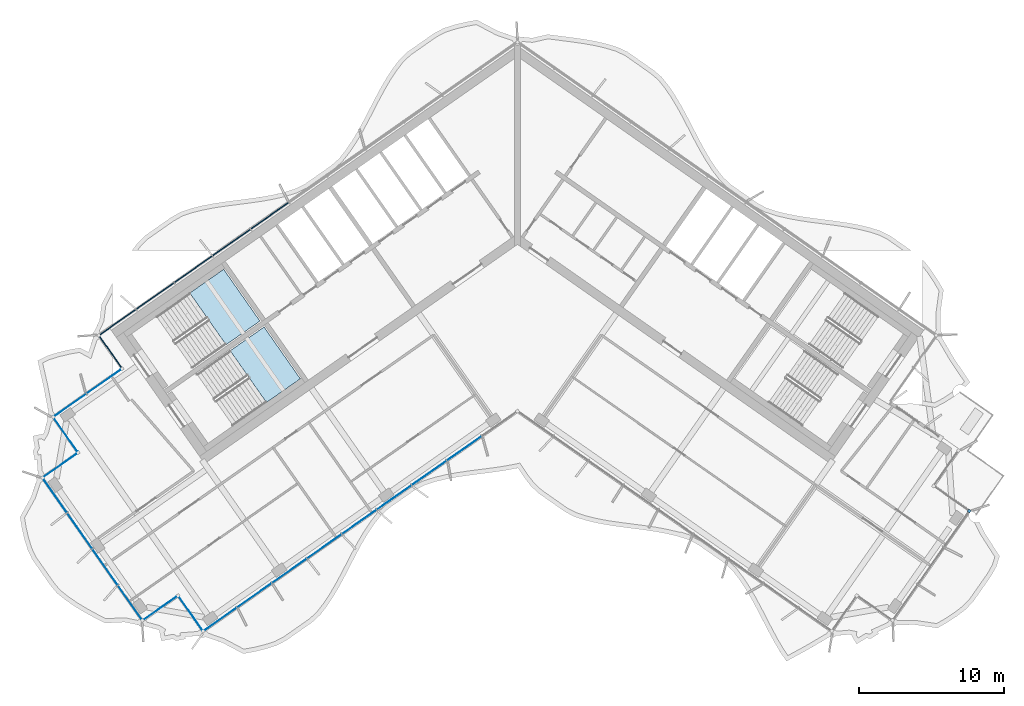
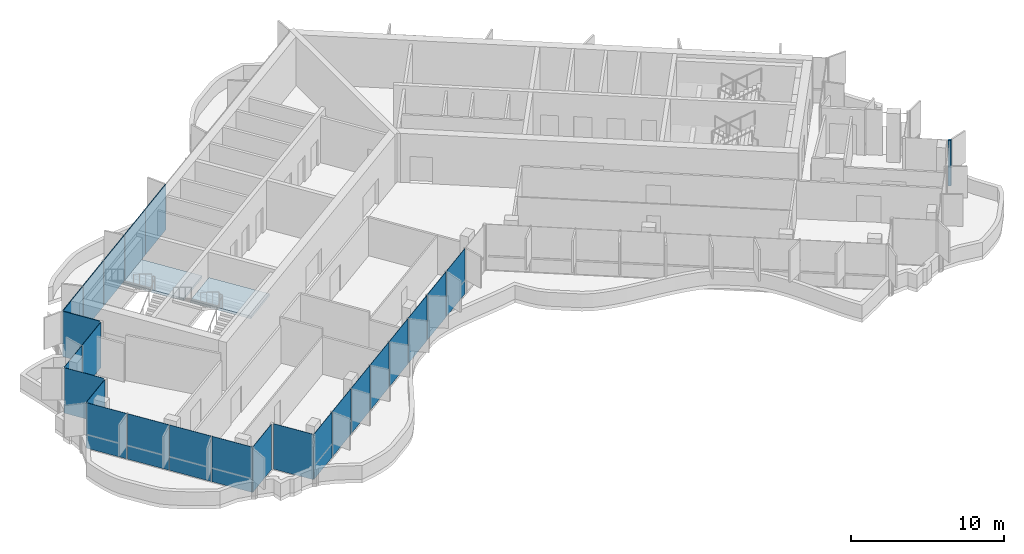
# One storey, part 8 of 20: 24 plates, 2 slabs, 1 member, 4 elements without a shape of their own.
"""IFC4 building model written with IfcOpenShell, lengths in metres."""

from ifc_helpers import new_model, si_unit, direction, frame, origin, origin_2d, place, context, subcontext, project, spatial, polyline, rectangle, outline, extrude, material, layer, layer_set, material_profile, profile_set, type_object, element, aggregate, save


model = new_model("IFC4")

# Units and contexts
model_context = context("Model", 3, precision=1e-05, world=origin(), true_north=direction((0.0, 1.0)))
body_context = subcontext(model_context, "Body", "Model", "MODEL_VIEW")
ifc_project = project(units=[si_unit("LENGTHUNIT", "METRE"), si_unit("AREAUNIT", "SQUARE_METRE"), si_unit("VOLUMEUNIT", "CUBIC_METRE"), si_unit("PLANEANGLEUNIT", "RADIAN"), si_unit("MASSUNIT", "GRAM", prefix="KILO")], contexts=[model_context])

# Site, building, storey
site_placement = place(None, origin())
site = spatial("IfcSite", under=ifc_project, at=site_placement, CompositionType="ELEMENT")
building_placement = place(site_placement, origin())
building = spatial("IfcBuilding", under=site, at=building_placement, Name="Tel Ilan Convention Tower", CompositionType="ELEMENT")
storey_placement = place(building_placement, frame((0.0, 0.0, 248.800048828125)))
storey = spatial("IfcBuildingStorey", under=building, at=storey_placement, Name="L58", CompositionType="ELEMENT", Elevation=248.800048828125)

# Curtain wall, member
ifc_material_1 = material(Name="Aluminium, bronze anodised", Category="aluminium")
curtain_wall_type_1 = type_object("IfcCurtainWallType", Name="CW5 STICK CURTAIN WALL, UPPER OFFICE LOW-IRON TINTED GLASS", PredefinedType="NOTDEFINED", material=ifc_material_1)
curtain_wall_1_placement = place(storey_placement, origin())
curtain_wall_1 = element("IfcCurtainWall", 1, at=curtain_wall_1_placement, inside=storey, type_object=curtain_wall_type_1, Name="Curtain wall CW5-45.03", PredefinedType="NOTDEFINED")
ifc_material_2 = material(Name="Aluminium, bronze anodised", Category="aluminium")
ifc_material_profile = material_profile(ifc_material_2, rectangle(XDim=0.199951171875, YDim=0.199951171875, at=origin_2d()), Name="CW CORNER MULLION 200x200")
ifc_profile_set = profile_set([ifc_material_profile], Name="Aluminium, bronze anodised")
member_type = type_object("IfcMemberType", Name="CW CORNER MULLION 200x200", PredefinedType="MULLION", material=ifc_profile_set)
member_placement = place(storey_placement, frame((31.09521484375, -19.57568359375, 0.0), z_axis=(0.0, 0.0, 1.0), x_axis=(0.573576436351, 0.819152044289, 0.0)))
member = element("IfcMember", 2, at=member_placement, type_object=member_type, Name="Corner mullion", PredefinedType="MULLION", context=body_context, shape_type="SweptSolid", body=[
    extrude(rectangle(XDim=0.199951171875, YDim=0.199951171875, at=origin_2d()), origin(), (0.0, 0.0, 1.0), 3.619873046875),
])

# Curtain wall, plates
ifc_material_3 = material(Name="Aluminium, bronze anodised", Category="aluminium")
curtain_wall_type_2 = type_object("IfcCurtainWallType", Name="CW2 STICK CURTAIN WALL, SPANDREL PANELS", PredefinedType="NOTDEFINED", material=ifc_material_3)
curtain_wall_2_placement = place(storey_placement, origin())
curtain_wall_2 = element("IfcCurtainWall", 3, at=curtain_wall_2_placement, inside=storey, type_object=curtain_wall_type_2, Name="Curtain wall CW2-45.02", PredefinedType="NOTDEFINED")
ifc_material_4 = material(Name="Aluminium composite panel, bronze anodised", Category="aluminium")
ifc_layer_1 = layer(ifc_material_4, 0.06005859375)
ifc_layer_set_1 = layer_set([ifc_layer_1], Name="CW SPANDREL PANEL 60")
plate_type_1 = type_object("IfcPlateType", Name="CW SPANDREL PANEL 60", PredefinedType="CURTAIN_PANEL", material=ifc_layer_set_1)
plate_1_placement = place(storey_placement, frame((-17.0546875, 0.754150390625, 0.0), z_axis=(0.0, 0.0, 1.0), x_axis=(-0.819152044289, -0.573576436351, 0.0)))
plate_1 = element("IfcPlate", 4, at=plate_1_placement, type_object=plate_type_1, Name="Spandrel panel", PredefinedType="CURTAIN_PANEL", context=body_context, shape_type="SweptSolid", body=[
    extrude(rectangle(XDim=3.15380859375, YDim=0.06005859375, at=origin_2d()), origin(), (0.0, 0.0, 1.0), 3.6201171875),
])
plate_2_placement = place(storey_placement, frame((-19.687255859375, -1.089111328125, 0.0), z_axis=(0.0, 0.0, 1.0), x_axis=(-0.819152044289, -0.573576436351, 0.0)))
plate_2 = element("IfcPlate", 5, at=plate_2_placement, type_object=plate_type_1, Name="Spandrel panel", PredefinedType="CURTAIN_PANEL", context=body_context, shape_type="SweptSolid", body=[
    extrude(rectangle(XDim=3.15380859375, YDim=0.06005859375, at=origin_2d()), origin(), (0.0, 0.0, 1.0), 3.6201171875),
])
plate_3_placement = place(storey_placement, frame((-22.31982421875, -2.9326171875, 0.0), z_axis=(0.0, 0.0, 1.0), x_axis=(-0.819152044289, -0.573576436351, 0.0)))
plate_3 = element("IfcPlate", 6, at=plate_3_placement, type_object=plate_type_1, Name="Spandrel panel", PredefinedType="CURTAIN_PANEL", context=body_context, shape_type="SweptSolid", body=[
    extrude(rectangle(XDim=3.15380859375, YDim=0.06005859375, at=origin_2d()), origin(), (0.0, 0.0, 1.0), 3.6201171875),
])
plate_4_placement = place(storey_placement, frame((-24.95263671875, -4.77587890625, 0.0), z_axis=(0.0, 0.0, 1.0), x_axis=(-0.819152044289, -0.573576436351, 0.0)))
plate_4 = element("IfcPlate", 7, at=plate_4_placement, type_object=plate_type_1, Name="Spandrel panel", PredefinedType="CURTAIN_PANEL", context=body_context, shape_type="SweptSolid", body=[
    extrude(rectangle(XDim=3.15380859375, YDim=0.06005859375, at=origin_2d()), origin(), (0.0, 0.0, 1.0), 3.6201171875),
])
plate_5_placement = place(storey_placement, frame((-27.5400390625, -6.587646484375, 0.0), z_axis=(0.0, 0.0, 1.0), x_axis=(-0.819152044289, -0.573576436351, 0.0)))
plate_5 = element("IfcPlate", 8, at=plate_5_placement, type_object=plate_type_1, Name="Spandrel panel", PredefinedType="CURTAIN_PANEL", context=body_context, shape_type="SweptSolid", body=[
    extrude(rectangle(XDim=3.0439453125, YDim=0.06005859375, at=origin_2d()), origin(), (0.0, 0.0, 1.0), 3.6201171875),
])
plate_6_placement = place(storey_placement, frame((-28.033935546875, -8.60546875, 0.0), z_axis=(0.0, 0.0, 1.0), x_axis=(0.573576436351, -0.819152044289, 0.0)))
plate_6 = element("IfcPlate", 9, at=plate_6_placement, type_object=plate_type_1, Name="Spandrel panel", PredefinedType="CURTAIN_PANEL", context=body_context, shape_type="SweptSolid", body=[
    extrude(rectangle(XDim=2.658935546875, YDim=0.06005859375, at=origin_2d()), origin(), (0.0, 0.0, 1.0), 3.6201171875),
])
aggregate(curtain_wall_2, [plate_1, plate_2, plate_3, plate_4, plate_5, plate_6])

# Plate
ifc_material_5 = material(Name="Glass, low-iron bronze tinted, two-ply", Category="glass")
ifc_layer_2 = layer(ifc_material_5, 0.031982421875)
ifc_layer_set_2 = layer_set([ifc_layer_2], Name="CW UPPER GLASS PANEL 32")
plate_type_2 = type_object("IfcPlateType", Name="CW UPPER GLASS PANEL 32", PredefinedType="CURTAIN_PANEL", material=ifc_layer_set_2)
plate_7_placement = place(storey_placement, frame((-28.471435546875, -10.657958984375, 0.0), z_axis=(0.0, 0.0, 1.0), x_axis=(-0.819152044289, -0.573576436351, 0.0)))
plate_7 = element("IfcPlate", 10, at=plate_7_placement, type_object=plate_type_2, Name="Glass panel", PredefinedType="CURTAIN_PANEL", context=body_context, shape_type="SweptSolid", body=[
    extrude(rectangle(XDim=2.868896484375, YDim=0.028076171875, at=origin_2d()), origin(), (0.0, 0.0, 1.0), 3.6201171875),
])

plate_8_placement = place(storey_placement, frame((-30.8203125, -12.302734375, 0.0), z_axis=(0.0, 0.0, 1.0), x_axis=(-0.819152044289, -0.573576436351, 0.0)))
plate_8 = element("IfcPlate", 11, at=plate_8_placement, type_object=plate_type_2, Name="Glass panel", PredefinedType="CURTAIN_PANEL", context=body_context, shape_type="SweptSolid", body=[
    extrude(rectangle(XDim=2.74609375, YDim=0.028076171875, at=origin_2d()), origin(), (0.0, 0.0, 1.0), 3.6201171875),
])

plate_9_placement = place(storey_placement, frame((-31.126220703125, -14.30126953125, 0.0), z_axis=(0.0, 0.0, 1.0), x_axis=(0.573576436351, -0.819152044289, 0.0)))
plate_9 = element("IfcPlate", 12, at=plate_9_placement, type_object=plate_type_2, Name="Glass panel", PredefinedType="CURTAIN_PANEL", context=body_context, shape_type="SweptSolid", body=[
    extrude(rectangle(XDim=2.875, YDim=0.028076171875, at=origin_2d()), origin(), (0.0, 0.0, 1.0), 3.6201171875),
])

plate_10_placement = place(storey_placement, frame((-31.504150390625, -16.44384765625, 0.0), z_axis=(0.0, 0.0, 1.0), x_axis=(-0.819152044289, -0.573576436351, 0.0)))
plate_10 = element("IfcPlate", 13, at=plate_10_placement, type_object=plate_type_2, Name="Glass panel", PredefinedType="CURTAIN_PANEL", context=body_context, shape_type="SweptSolid", body=[
    extrude(rectangle(XDim=2.875, YDim=0.028076171875, at=origin_2d()), origin(), (0.0, 0.0, 1.0), 3.6201171875),
])

plate_11_placement = place(storey_placement, frame((-31.85693359375, -18.488037109375, 0.0), z_axis=(0.0, 0.0, 1.0), x_axis=(0.573576436351, -0.819152044289, 0.0)))
plate_11 = element("IfcPlate", 14, at=plate_11_placement, type_object=plate_type_2, Name="Glass panel", PredefinedType="CURTAIN_PANEL", context=body_context, shape_type="SweptSolid", body=[
    extrude(rectangle(XDim=2.89599609375, YDim=0.028076171875, at=origin_2d()), origin(), (0.0, 0.0, 1.0), 3.6201171875),
])

plate_12_placement = place(storey_placement, frame((-30.134521484375, -20.94775390625, 0.0), z_axis=(0.0, 0.0, 1.0), x_axis=(0.573576436351, -0.819152044289, 0.0)))
plate_12 = element("IfcPlate", 15, at=plate_12_placement, type_object=plate_type_2, Name="Glass panel", PredefinedType="CURTAIN_PANEL", context=body_context, shape_type="SweptSolid", body=[
    extrude(rectangle(XDim=2.989990234375, YDim=0.028076171875, at=origin_2d()), origin(), (0.0, 0.0, 1.0), 3.6201171875),
])

plate_13_placement = place(storey_placement, frame((-28.38525390625, -23.4462890625, 0.0), z_axis=(0.0, 0.0, 1.0), x_axis=(0.573576436351, -0.819152044289, 0.0)))
plate_13 = element("IfcPlate", 16, at=plate_13_placement, type_object=plate_type_2, Name="Glass panel", PredefinedType="CURTAIN_PANEL", context=body_context, shape_type="SweptSolid", body=[
    extrude(rectangle(XDim=2.989990234375, YDim=0.028076171875, at=origin_2d()), origin(), (0.0, 0.0, 1.0), 3.6201171875),
])

plate_14_placement = place(storey_placement, frame((-26.66259765625, -25.90625, 0.0), z_axis=(0.0, 0.0, 1.0), x_axis=(0.573576436351, -0.819152044289, 0.0)))
plate_14 = element("IfcPlate", 17, at=plate_14_placement, type_object=plate_type_2, Name="Glass panel", PredefinedType="CURTAIN_PANEL", context=body_context, shape_type="SweptSolid", body=[
    extrude(rectangle(XDim=2.89599609375, YDim=0.028076171875, at=origin_2d()), origin(), (0.0, 0.0, 1.0), 3.6201171875),
])

plate_15_placement = place(storey_placement, frame((-24.621337890625, -26.273681640625, 0.0), z_axis=(0.0, 0.0, 1.0), x_axis=(0.819152044289, 0.573576436351, 0.0)))
plate_15 = element("IfcPlate", 18, at=plate_15_placement, type_object=plate_type_2, Name="Glass panel", PredefinedType="CURTAIN_PANEL", context=body_context, shape_type="SweptSolid", body=[
    extrude(rectangle(XDim=2.875, YDim=0.028076171875, at=origin_2d()), origin(), (0.0, 0.0, 1.0), 3.6201171875),
])

plate_16_placement = place(storey_placement, frame((-22.478515625, -26.651611328125, 0.0), z_axis=(0.0, 0.0, 1.0), x_axis=(0.573576436351, -0.819152044289, 0.0)))
plate_16 = element("IfcPlate", 19, at=plate_16_placement, type_object=plate_type_2, Name="Glass panel", PredefinedType="CURTAIN_PANEL", context=body_context, shape_type="SweptSolid", body=[
    extrude(rectangle(XDim=2.875, YDim=0.028076171875, at=origin_2d()), origin(), (0.0, 0.0, 1.0), 3.6201171875),
])

plate_17_placement = place(storey_placement, frame((-20.47998046875, -27.036376953125, 0.0), z_axis=(0.0, 0.0, 1.0), x_axis=(0.819152044289, 0.573576436351, 0.0)))
plate_17 = element("IfcPlate", 20, at=plate_17_placement, type_object=plate_type_2, Name="Glass panel", PredefinedType="CURTAIN_PANEL", context=body_context, shape_type="SweptSolid", body=[
    extrude(rectangle(XDim=2.78466796875, YDim=0.028076171875, at=origin_2d()), origin(), (0.0, 0.0, 1.0), 3.6201171875),
])

plate_18_placement = place(storey_placement, frame((-18.111328125, -25.377685546875, 0.0), z_axis=(0.0, 0.0, 1.0), x_axis=(0.819152044289, 0.573576436351, 0.0)))
plate_18 = element("IfcPlate", 21, at=plate_18_placement, type_object=plate_type_2, Name="Glass panel", PredefinedType="CURTAIN_PANEL", context=body_context, shape_type="SweptSolid", body=[
    extrude(rectangle(XDim=2.878662109375, YDim=0.028076171875, at=origin_2d()), origin(), (0.0, 0.0, 1.0), 3.6201171875),
])

plate_19_placement = place(storey_placement, frame((-15.7041015625, -23.692138671875, 0.0), z_axis=(0.0, 0.0, 1.0), x_axis=(0.819152044289, 0.573576436351, 0.0)))
plate_19 = element("IfcPlate", 22, at=plate_19_placement, type_object=plate_type_2, Name="Glass panel", PredefinedType="CURTAIN_PANEL", context=body_context, shape_type="SweptSolid", body=[
    extrude(rectangle(XDim=2.878662109375, YDim=0.028076171875, at=origin_2d()), origin(), (0.0, 0.0, 1.0), 3.6201171875),
])

plate_20_placement = place(storey_placement, frame((-13.296875, -22.006591796875, 0.0), z_axis=(0.0, 0.0, 1.0), x_axis=(0.819152044289, 0.573576436351, 0.0)))
plate_20 = element("IfcPlate", 23, at=plate_20_placement, type_object=plate_type_2, Name="Glass panel", PredefinedType="CURTAIN_PANEL", context=body_context, shape_type="SweptSolid", body=[
    extrude(rectangle(XDim=2.878662109375, YDim=0.028076171875, at=origin_2d()), origin(), (0.0, 0.0, 1.0), 3.6201171875),
])

plate_21_placement = place(storey_placement, frame((-10.8896484375, -20.321044921875, 0.0), z_axis=(0.0, 0.0, 1.0), x_axis=(0.819152044289, 0.573576436351, 0.0)))
plate_21 = element("IfcPlate", 24, at=plate_21_placement, type_object=plate_type_2, Name="Glass panel", PredefinedType="CURTAIN_PANEL", context=body_context, shape_type="SweptSolid", body=[
    extrude(rectangle(XDim=2.878662109375, YDim=0.028076171875, at=origin_2d()), origin(), (0.0, 0.0, 1.0), 3.6201171875),
])

plate_22_placement = place(storey_placement, frame((-8.482666015625, -18.635498046875, 0.0), z_axis=(0.0, 0.0, 1.0), x_axis=(0.819152044289, 0.573576436351, 0.0)))
plate_22 = element("IfcPlate", 25, at=plate_22_placement, type_object=plate_type_2, Name="Glass panel", PredefinedType="CURTAIN_PANEL", context=body_context, shape_type="SweptSolid", body=[
    extrude(rectangle(XDim=2.878662109375, YDim=0.028076171875, at=origin_2d()), origin(), (0.0, 0.0, 1.0), 3.6201171875),
])

plate_23_placement = place(storey_placement, frame((-6.075439453125, -16.949951171875, 0.0), z_axis=(0.0, 0.0, 1.0), x_axis=(0.819152044289, 0.573576436351, 0.0)))
plate_23 = element("IfcPlate", 26, at=plate_23_placement, type_object=plate_type_2, Name="Glass panel", PredefinedType="CURTAIN_PANEL", context=body_context, shape_type="SweptSolid", body=[
    extrude(rectangle(XDim=2.878662109375, YDim=0.028076171875, at=origin_2d()), origin(), (0.0, 0.0, 1.0), 3.6201171875),
])

plate_24_placement = place(storey_placement, frame((-3.668212890625, -15.264404296875, 0.0), z_axis=(0.0, 0.0, 1.0), x_axis=(0.819152044289, 0.573576436351, 0.0)))
plate_24 = element("IfcPlate", 27, at=plate_24_placement, type_object=plate_type_2, Name="Glass panel", PredefinedType="CURTAIN_PANEL", context=body_context, shape_type="SweptSolid", body=[
    extrude(rectangle(XDim=2.878662109375, YDim=0.028076171875, at=origin_2d()), origin(), (0.0, 0.0, 1.0), 3.6201171875),
])

aggregate(curtain_wall_1, [plate_7, plate_8, plate_9, plate_10, plate_11, plate_12, plate_13, plate_14, plate_15, plate_16, plate_17, plate_18, plate_19, plate_20, plate_21, plate_22, plate_23, plate_24, member])

# Stair, slab
ifc_material_6 = material(Name="Concrete C40/50", Category="concrete")
stair_type = type_object("IfcStairType", Name="Pressurised Exit Stair 22 risers 177 mm", PredefinedType="HALF_TURN_STAIR", material=ifc_material_6)
stair_1_placement = place(storey_placement, origin())
stair_1 = element("IfcStair", 28, at=stair_1_placement, inside=storey, type_object=stair_type, Name="L58 Pressurised Stair S1", PredefinedType="HALF_TURN_STAIR")
ifc_material_7 = material(Name="Concrete C40/50", Category="concrete")
ifc_layer_3 = layer(ifc_material_7, 0.199951171875)
ifc_layer_set_3 = layer_set([ifc_layer_3], Name="Concrete Stair Landing 200 mm C40/50")
slab_type = type_object("IfcSlabType", Name="Concrete Stair Landing 200 mm", PredefinedType="LANDING", material=ifc_layer_set_3)
slab_1_placement = place(storey_placement, frame((0.0, 0.0, 1.75)))
slab_1 = element("IfcSlab", 29, at=slab_1_placement, type_object=slab_type, Name="S1 landing 1", PredefinedType="LANDING", context=body_context, shape_type="SweptSolid", body=[
    extrude(outline(polyline([(-20.066650390625, -8.130126953125), (-17.7314453125, -6.494873046875), (-20.226318359375, -2.931640625), (-22.561767578125, -4.566650390625), (-20.066650390625, -8.130126953125)])), origin(), (0.0, 0.0, 1.0), 0.199951171875),
])
aggregate(stair_1, [slab_1])

stair_2_placement = place(storey_placement, origin())
stair_2 = element("IfcStair", 30, at=stair_2_placement, inside=storey, type_object=stair_type, Name="L58 Pressurised Stair S2", PredefinedType="HALF_TURN_STAIR")
slab_2_placement = place(storey_placement, frame((0.0, 0.0, 1.75)))
slab_2 = element("IfcSlab", 31, at=slab_2_placement, type_object=slab_type, Name="S2 landing 1", PredefinedType="LANDING", context=body_context, shape_type="SweptSolid", body=[
    extrude(outline(polyline([(-17.28466796875, -12.10302734375), (-14.949462890625, -10.4677734375), (-17.444580078125, -6.904541015625), (-19.77978515625, -8.53955078125), (-17.28466796875, -12.10302734375)])), origin(), (0.0, 0.0, 1.0), 0.199951171875),
])
aggregate(stair_2, [slab_2])

save(model, "model.ifc")
